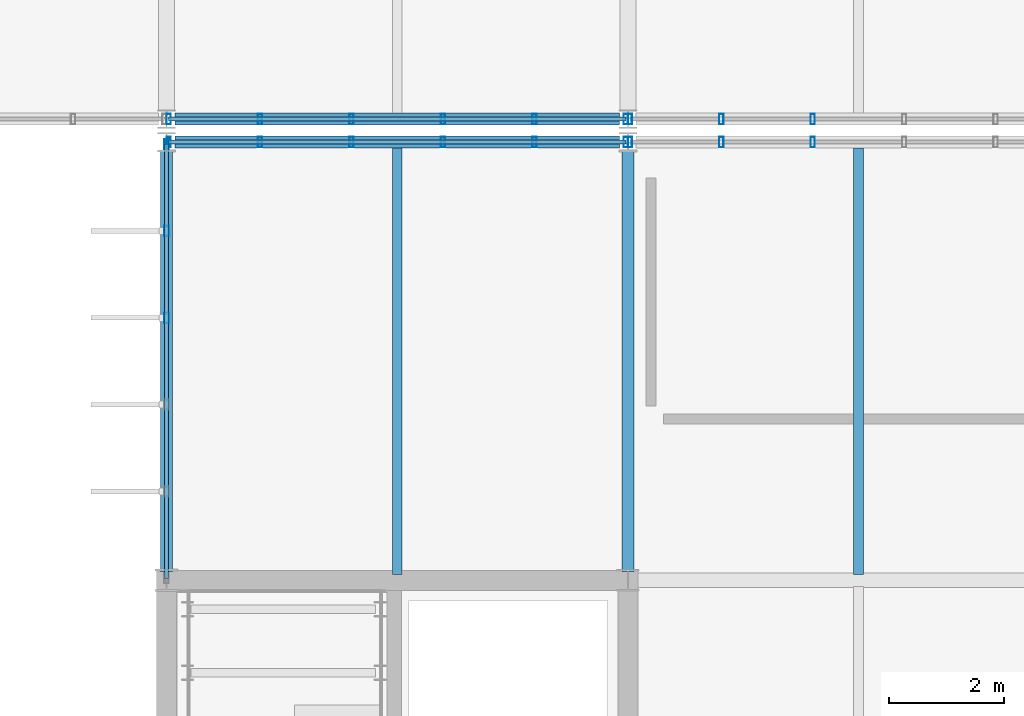
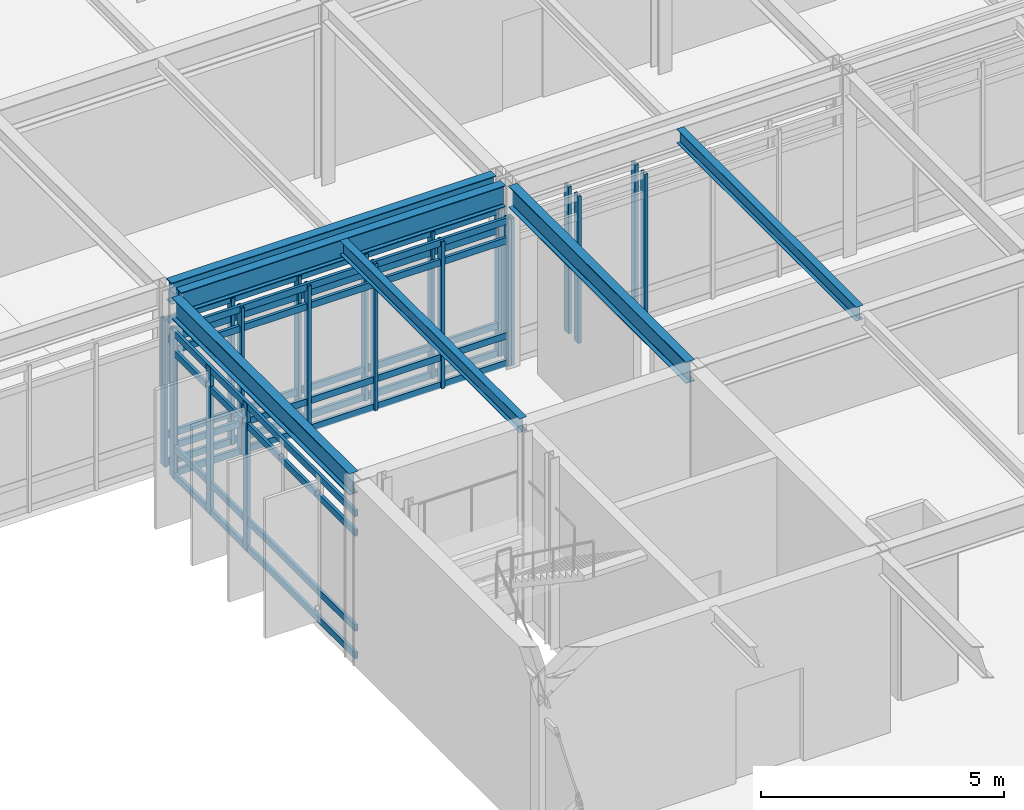
# One storey, part 46 of 104: 33 members, 6 beams, 5 elements without a shape of their own.
"""IFC4 building model written with IfcOpenShell, lengths in metres."""

import ifcopenshell
import ifcopenshell.guid

model = None  # the IFC model being written
_history = None  # IfcOwnerHistory: only IFC2X3 demands one
_inside = {}  # id of a spatial element -> (the spatial element, [elements in it])
_under = {}  # id of a project, library or spatial element -> (it, [spatial elements below it])
_declared = {}  # id of a project -> (the project, [libraries it declares])
_typed = {}  # id of a type object -> (the type object, [elements of that type])
_made_of = {}  # id of a material, layer set ... -> (it, [elements and type objects made of it])


def new_model(schema):
    """Start an empty IFC model of exactly this schema.

    Asked for "IFC4X3", IfcOpenShell would pick the latest addendum, in which some entities
    have other attributes; the version numbers below select the first issue.
    IFC2X3 requires an IfcOwnerHistory on every rooted entity: one is made here for all.
    """
    global model, _history
    if schema == "IFC4X3":
        model = ifcopenshell.file(schema_version=(4, 3, 0, 0))
    else:
        model = ifcopenshell.file(schema=schema)
    _inside.clear()
    _under.clear()
    _declared.clear()
    _typed.clear()
    _made_of.clear()
    _history = None
    if model.schema == "IFC2X3":
        org = make("IfcOrganization", Name="unknown")
        user = make(
            "IfcPersonAndOrganization",
            ThePerson=make("IfcPerson", FamilyName="unknown"),
            TheOrganization=org,
        )
        app = make(
            "IfcApplication",
            ApplicationDeveloper=org,
            Version="unknown",
            ApplicationFullName="unknown",
            ApplicationIdentifier="unknown",
        )
        _history = make(
            "IfcOwnerHistory",
            OwningUser=user,
            OwningApplication=app,
            ChangeAction="ADDED",
            CreationDate=0,
        )
    return model


def make(cls, **values):
    """One entity of the class cls with the attributes given. An attribute that is None is left unset."""
    return model.create_entity(
        cls, **{name: value for name, value in values.items() if value is not None}
    )


def rooted(cls, **values):
    """An entity with a GlobalId (a new one), such as an element, a storey or a relation."""
    return make(cls, GlobalId=ifcopenshell.guid.new(), OwnerHistory=_history, **values)


def si_unit(unit_type, name, prefix=None):
    """IfcSIUnit, for example si_unit("LENGTHUNIT", "METRE", prefix="MILLI")."""
    return make("IfcSIUnit", UnitType=unit_type, Prefix=prefix, Name=name)


def assignment(units):
    """IfcUnitAssignment: the units of a project."""
    return None if units is None else make("IfcUnitAssignment", Units=units)


def point(xyz):
    """IfcCartesianPoint."""
    return None if xyz is None else make("IfcCartesianPoint", Coordinates=xyz)


def direction(xyz):
    """IfcDirection."""
    return None if xyz is None else make("IfcDirection", DirectionRatios=xyz)


def frame(location, z_axis=None, x_axis=None):
    """IfcAxis2Placement3D, a coordinate frame: its origin and axes. An axis left out is left unset."""
    return make(
        "IfcAxis2Placement3D",
        Location=point(location),
        Axis=direction(z_axis),
        RefDirection=direction(x_axis),
    )


def frame_2d(location, x_axis=None):
    """IfcAxis2Placement2D, a coordinate frame in the plane: its origin and x axis."""
    return make(
        "IfcAxis2Placement2D", Location=point(location), RefDirection=direction(x_axis)
    )


def origin():
    """The frame at (0, 0, 0) with its axes left unset."""
    return frame((0.0, 0.0, 0.0))


def origin_2d():
    """The frame at (0, 0) in the plane with its x axis left unset."""
    return frame_2d((0.0, 0.0))


def place(relative_to, where):
    """IfcLocalPlacement: puts the frame where relative to a parent placement (None: the world)."""
    return make(
        "IfcLocalPlacement", PlacementRelTo=relative_to, RelativePlacement=where
    )


def context(
    kind, dimensions, precision=None, world=None, true_north=None, identifier=None
):
    """IfcGeometricRepresentationContext, for example the 3D "Model" context."""
    return make(
        "IfcGeometricRepresentationContext",
        ContextIdentifier=identifier,
        ContextType=kind,
        CoordinateSpaceDimension=dimensions,
        Precision=precision,
        WorldCoordinateSystem=world,
        TrueNorth=true_north,
    )


def subcontext(parent, identifier, kind, view, scale=None):
    """IfcGeometricRepresentationSubContext, for example "Body" below "Model"."""
    return make(
        "IfcGeometricRepresentationSubContext",
        ContextIdentifier=identifier,
        ContextType=kind,
        ParentContext=parent,
        TargetScale=scale,
        TargetView=view,
    )


def project(units=None, contexts=None):
    """IfcProject with its units and contexts."""
    return rooted(
        "IfcProject",
        Name="project",
        RepresentationContexts=contexts,
        UnitsInContext=assignment(units),
    )


def spatial(cls, under=None, at=None, **own):
    """A site, building, storey or space (cls), placed at a placement, below another one or the project."""
    s = rooted(cls, ObjectPlacement=at, **own)
    if under is not None:
        _under.setdefault(under.id(), (under, []))[1].append(s)
    return s


def profile(cls, at=None, kind="AREA", **sizes):
    """A parametric profile (cls). Its sizes go by their IFC names, for example OverallWidth=200.0."""
    return make(cls, ProfileType=kind, Position=at, **sizes)


def hollow_rectangle(**sizes):
    """IfcRectangleHollowProfileDef."""
    return profile("IfcRectangleHollowProfileDef", **sizes)


def i_section(**sizes):
    """IfcIShapeProfileDef."""
    return profile("IfcIShapeProfileDef", **sizes)


def extrude(swept, where, along, depth):
    """IfcExtrudedAreaSolid: the profile swept, set in the frame where, extruded along a direction by depth."""
    return make(
        "IfcExtrudedAreaSolid",
        SweptArea=swept,
        Position=where,
        ExtrudedDirection=direction(along),
        Depth=depth,
    )


def shape(context_of_items, identifier, shape_type, items):
    """IfcShapeRepresentation: the items that make up one representation, for example the "Body"."""
    return make(
        "IfcShapeRepresentation",
        ContextOfItems=context_of_items,
        RepresentationIdentifier=identifier,
        RepresentationType=shape_type,
        Items=items,
    )


def material(Name=None, Category=None):
    """IfcMaterial."""
    return make("IfcMaterial", Name=Name, Category=Category)


def material_profile(
    of_material, cross_section, Name=None, Category=None, Priority=None
):
    """IfcMaterialProfile: a cross section and its material."""
    return make(
        "IfcMaterialProfile",
        Name=Name,
        Material=of_material,
        Profile=cross_section,
        Priority=Priority,
        Category=Category,
    )


def profile_set(profiles, Name=None, composite=None):
    """IfcMaterialProfileSet."""
    return make(
        "IfcMaterialProfileSet",
        Name=Name,
        MaterialProfiles=profiles,
        CompositeProfile=composite,
    )


def made_of(thing, what):
    """Note that an element or type object is made of a material, layer set ...; save() writes the relation."""
    if what is not None:
        _made_of.setdefault(what.id(), (what, []))[1].append(thing)
    return thing


def type_object(cls, material=None, **own):
    """A type object (cls), such as IfcWallType, which elements share."""
    return made_of(rooted(cls, **own), material)


def element(
    cls,
    number,
    at=None,
    inside=None,
    cuts=None,
    type_object=None,
    material=None,
    context=None,
    identifier="Body",
    shape_type=None,
    held_by="IfcProductDefinitionShape",
    body=None,
    shapes=None,
    **own,
):
    """One element of the class cls, such as IfcWall. Its Tag is "e" and its number.

    at: its placement. inside: the storey or other place that contains it. cuts: it is an
    opening in that element (IfcRelVoidsElement). A single representation is given by context,
    identifier, shape_type and body (its items); several are given by shapes. held_by: the class
    of the entity that holds the representations. save() writes the other relations.
    """
    e = rooted(cls, Tag="e%d" % number, ObjectPlacement=at, **own)
    if body is not None:
        shapes = [shape(context, identifier, shape_type, body)]
    if shapes is not None:
        e.Representation = make(held_by, Representations=shapes)
    if inside is not None:
        _inside.setdefault(inside.id(), (inside, []))[1].append(e)
    if cuts is not None:
        rooted(
            "IfcRelVoidsElement", RelatingBuildingElement=cuts, RelatedOpeningElement=e
        )
    if type_object is not None:
        _typed.setdefault(type_object.id(), (type_object, []))[1].append(e)
    return made_of(e, material)


def aggregate(whole, parts):
    """IfcRelAggregates: a whole, such as a stair, and the parts it consists of."""
    return rooted("IfcRelAggregates", RelatingObject=whole, RelatedObjects=parts)


def save(model, path):
    """Write the relations noted so far, then the file.

    IfcRelAggregates (storeys below a building ...), IfcRelContainedInSpatialStructure (elements
    in a storey), IfcRelDefinesByType, IfcRelAssociatesMaterial and IfcRelDeclares: one each for
    every whole, place, type object, material and project.
    """
    for whole, parts in _under.values():
        aggregate(whole, parts)
    for where, things in _inside.values():
        rooted(
            "IfcRelContainedInSpatialStructure",
            RelatedElements=things,
            RelatingStructure=where,
        )
    for kind, things in _typed.values():
        rooted("IfcRelDefinesByType", RelatedObjects=things, RelatingType=kind)
    for what, things in _made_of.values():
        rooted("IfcRelAssociatesMaterial", RelatedObjects=things, RelatingMaterial=what)
    for by, libraries in _declared.values():
        rooted("IfcRelDeclares", RelatingContext=by, RelatedDefinitions=libraries)
    model.write(path)


model = new_model("IFC4")

# Units and contexts
model_context = context("Model", 3, precision=1e-05, world=origin(), true_north=direction((0.0, 1.0)))
body_context = subcontext(model_context, "Body", "Model", "MODEL_VIEW")
ifc_project = project(units=[si_unit("LENGTHUNIT", "METRE"), si_unit("AREAUNIT", "SQUARE_METRE"), si_unit("VOLUMEUNIT", "CUBIC_METRE"), si_unit("PLANEANGLEUNIT", "RADIAN"), si_unit("MASSUNIT", "GRAM", prefix="KILO")], contexts=[model_context])

# Site, building, storey
site_placement = place(None, origin())
site = spatial("IfcSite", under=ifc_project, at=site_placement, CompositionType="ELEMENT")
building_placement = place(site_placement, origin())
building = spatial("IfcBuilding", under=site, at=building_placement, Name="Zulena Civic Courthouse", CompositionType="ELEMENT")
storey_placement = place(building_placement, frame((0.0, 0.0, 15.60009765625)))
storey = spatial("IfcBuildingStorey", under=building, at=storey_placement, Name="L03", CompositionType="ELEMENT", Elevation=15.60009765625)

# Curtain wall, members
ifc_material_1 = material(Name="Double-silver low-E laminated solar-control glass", Category="glass")
curtain_wall_type_1 = type_object("IfcCurtainWallType", Name="CW_7528x3690", PredefinedType="USERDEFINED", material=ifc_material_1)
curtain_wall_1_placement = place(storey_placement, origin())
curtain_wall_1 = element("IfcCurtainWall", 1, at=curtain_wall_1_placement, inside=storey, type_object=curtain_wall_type_1, Name="cw:V4:L03:0:3", ObjectType="UNITISED CURTAIN WALL", PredefinedType="USERDEFINED")
ifc_material_2 = material(Name="Bronze anodised thermally broken aluminium AA6063-T6", Category="aluminium")
ifc_material_profile_1 = material_profile(ifc_material_2, hollow_rectangle(XDim=0.074951171875, YDim=0.179931640625, WallThickness=0.0048828125, at=origin_2d()), Name="CWM180X75X5")
ifc_profile_set_1 = profile_set([ifc_material_profile_1], Name="Bronze anodised thermally broken aluminium AA6063-T6")
member_type_1 = type_object("IfcMemberType", Name="CWMullion_180x75", PredefinedType="MULLION", material=ifc_profile_set_1)
member_1_placement = place(storey_placement, frame((68.0, 42.552734375, 0.0), z_axis=(0.0, 0.0, 1.0), x_axis=(1.0, 0.0, 0.0)))
member_1 = element("IfcMember", 2, at=member_1_placement, type_object=member_type_1, Name="cw:V4:L03:0:3:mull:3", PredefinedType="MULLION", context=body_context, shape_type="SweptSolid", body=[
    extrude(hollow_rectangle(XDim=0.074951171875, YDim=0.179931640625, WallThickness=0.0048828125, at=origin_2d()), origin(), (0.0, 0.0, 1.0), 3.68994140625),
])
member_2_placement = place(storey_placement, frame((68.0, 44.058349609375, 0.0), z_axis=(0.0, 0.0, 1.0), x_axis=(1.0, 0.0, 0.0)))
member_2 = element("IfcMember", 3, at=member_2_placement, type_object=member_type_1, Name="cw:V4:L03:0:3:mull:4", PredefinedType="MULLION", context=body_context, shape_type="SweptSolid", body=[
    extrude(hollow_rectangle(XDim=0.074951171875, YDim=0.179931640625, WallThickness=0.0048828125, at=origin_2d()), origin(), (0.0, 0.0, 1.0), 3.68994140625),
])
member_3_placement = place(storey_placement, frame((68.0, 45.56396484375, 0.0), z_axis=(0.0, 0.0, 1.0), x_axis=(1.0, 0.0, 0.0)))
member_3 = element("IfcMember", 4, at=member_3_placement, type_object=member_type_1, Name="cw:V4:L03:0:3:mull:5", PredefinedType="MULLION", context=body_context, shape_type="SweptSolid", body=[
    extrude(hollow_rectangle(XDim=0.074951171875, YDim=0.179931640625, WallThickness=0.0048828125, at=origin_2d()), origin(), (0.0, 0.0, 1.0), 3.68994140625),
])

curtain_wall_type_2 = type_object("IfcCurtainWallType", Name="CW_7928x3690", PredefinedType="USERDEFINED", material=ifc_material_1)
curtain_wall_2_placement = place(storey_placement, origin())
curtain_wall_2 = element("IfcCurtainWall", 5, at=curtain_wall_2_placement, inside=storey, type_object=curtain_wall_type_2, Name="cw:V4:L03:1:0", ObjectType="UNITISED CURTAIN WALL", PredefinedType="USERDEFINED")
member_4_placement = place(storey_placement, frame((68.035888671875, 45.60009765625, 0.0), z_axis=(0.0, 0.0, 1.0), x_axis=(1.0, 0.0, 0.0)))
member_4 = element("IfcMember", 6, at=member_4_placement, type_object=member_type_1, Name="cw:V4:L03:1:0:mull:0", PredefinedType="MULLION", context=body_context, shape_type="SweptSolid", body=[
    extrude(hollow_rectangle(XDim=0.074951171875, YDim=0.179931640625, WallThickness=0.0048828125, at=origin_2d()), origin(), (0.0, 0.0, 1.0), 3.68994140625),
])
member_5_placement = place(storey_placement, frame((69.62158203125, 45.60009765625, 0.0), z_axis=(0.0, 0.0, 1.0), x_axis=(1.0, 0.0, 0.0)))
member_5 = element("IfcMember", 7, at=member_5_placement, type_object=member_type_1, Name="cw:V4:L03:1:0:mull:1", PredefinedType="MULLION", context=body_context, shape_type="SweptSolid", body=[
    extrude(hollow_rectangle(XDim=0.074951171875, YDim=0.179931640625, WallThickness=0.0048828125, at=origin_2d()), origin(), (0.0, 0.0, 1.0), 3.68994140625),
])
member_6_placement = place(storey_placement, frame((71.207275390625, 45.60009765625, 0.0), z_axis=(0.0, 0.0, 1.0), x_axis=(1.0, 0.0, 0.0)))
member_6 = element("IfcMember", 8, at=member_6_placement, type_object=member_type_1, Name="cw:V4:L03:1:0:mull:2", PredefinedType="MULLION", context=body_context, shape_type="SweptSolid", body=[
    extrude(hollow_rectangle(XDim=0.074951171875, YDim=0.179931640625, WallThickness=0.0048828125, at=origin_2d()), origin(), (0.0, 0.0, 1.0), 3.68994140625),
])
member_7_placement = place(storey_placement, frame((72.792724609375, 45.60009765625, 0.0), z_axis=(0.0, 0.0, 1.0), x_axis=(1.0, 0.0, 0.0)))
member_7 = element("IfcMember", 9, at=member_7_placement, type_object=member_type_1, Name="cw:V4:L03:1:0:mull:3", PredefinedType="MULLION", context=body_context, shape_type="SweptSolid", body=[
    extrude(hollow_rectangle(XDim=0.074951171875, YDim=0.179931640625, WallThickness=0.0048828125, at=origin_2d()), origin(), (0.0, 0.0, 1.0), 3.68994140625),
])
member_8_placement = place(storey_placement, frame((74.37841796875, 45.60009765625, 0.0), z_axis=(0.0, 0.0, 1.0), x_axis=(1.0, 0.0, 0.0)))
member_8 = element("IfcMember", 10, at=member_8_placement, type_object=member_type_1, Name="cw:V4:L03:1:0:mull:4", PredefinedType="MULLION", context=body_context, shape_type="SweptSolid", body=[
    extrude(hollow_rectangle(XDim=0.074951171875, YDim=0.179931640625, WallThickness=0.0048828125, at=origin_2d()), origin(), (0.0, 0.0, 1.0), 3.68994140625),
])
member_9_placement = place(storey_placement, frame((75.964111328125, 45.60009765625, 0.0), z_axis=(0.0, 0.0, 1.0), x_axis=(1.0, 0.0, 0.0)))
member_9 = element("IfcMember", 11, at=member_9_placement, type_object=member_type_1, Name="cw:V4:L03:1:0:mull:5", PredefinedType="MULLION", context=body_context, shape_type="SweptSolid", body=[
    extrude(hollow_rectangle(XDim=0.074951171875, YDim=0.179931640625, WallThickness=0.0048828125, at=origin_2d()), origin(), (0.0, 0.0, 1.0), 3.68994140625),
])

curtain_wall_3_placement = place(storey_placement, origin())
curtain_wall_3 = element("IfcCurtainWall", 12, at=curtain_wall_3_placement, inside=storey, type_object=curtain_wall_type_2, Name="cw:V4:L03:1:1", ObjectType="UNITISED CURTAIN WALL", PredefinedType="USERDEFINED")
member_10_placement = place(storey_placement, frame((76.035888671875, 45.60009765625, 0.0), z_axis=(0.0, 0.0, 1.0), x_axis=(1.0, 0.0, 0.0)))
member_10 = element("IfcMember", 13, at=member_10_placement, type_object=member_type_1, Name="cw:V4:L03:1:1:mull:0", PredefinedType="MULLION", context=body_context, shape_type="SweptSolid", body=[
    extrude(hollow_rectangle(XDim=0.074951171875, YDim=0.179931640625, WallThickness=0.0048828125, at=origin_2d()), origin(), (0.0, 0.0, 1.0), 3.68994140625),
])
member_11_placement = place(storey_placement, frame((77.62158203125, 45.60009765625, 0.0), z_axis=(0.0, 0.0, 1.0), x_axis=(1.0, 0.0, 0.0)))
member_11 = element("IfcMember", 14, at=member_11_placement, type_object=member_type_1, Name="cw:V4:L03:1:1:mull:1", PredefinedType="MULLION", context=body_context, shape_type="SweptSolid", body=[
    extrude(hollow_rectangle(XDim=0.074951171875, YDim=0.179931640625, WallThickness=0.0048828125, at=origin_2d()), origin(), (0.0, 0.0, 1.0), 3.68994140625),
])
member_12_placement = place(storey_placement, frame((79.207275390625, 45.60009765625, 0.0), z_axis=(0.0, 0.0, 1.0), x_axis=(1.0, 0.0, 0.0)))
member_12 = element("IfcMember", 15, at=member_12_placement, type_object=member_type_1, Name="cw:V4:L03:1:1:mull:2", PredefinedType="MULLION", context=body_context, shape_type="SweptSolid", body=[
    extrude(hollow_rectangle(XDim=0.074951171875, YDim=0.179931640625, WallThickness=0.0048828125, at=origin_2d()), origin(), (0.0, 0.0, 1.0), 3.68994140625),
])
aggregate(curtain_wall_3, [member_10, member_11, member_12])

curtain_wall_4_placement = place(storey_placement, origin())
curtain_wall_4 = element("IfcCurtainWall", 16, at=curtain_wall_4_placement, inside=storey, type_object=curtain_wall_type_2, Name="cw:V5:L03:5:3", ObjectType="UNITISED CURTAIN WALL", PredefinedType="USERDEFINED")
member_13_placement = place(storey_placement, frame((79.207275390625, 46.0, 0.0), z_axis=(0.0, 0.0, 1.0), x_axis=(1.0, 0.0, 0.0)))
member_13 = element("IfcMember", 17, at=member_13_placement, type_object=member_type_1, Name="cw:V5:L03:5:3:mull:3", PredefinedType="MULLION", context=body_context, shape_type="SweptSolid", body=[
    extrude(hollow_rectangle(XDim=0.074951171875, YDim=0.179931640625, WallThickness=0.0048828125, at=origin_2d()), origin(), (0.0, 0.0, 1.0), 3.68994140625),
])
member_14_placement = place(storey_placement, frame((77.62158203125, 46.0, 0.0), z_axis=(0.0, 0.0, 1.0), x_axis=(1.0, 0.0, 0.0)))
member_14 = element("IfcMember", 18, at=member_14_placement, type_object=member_type_1, Name="cw:V5:L03:5:3:mull:4", PredefinedType="MULLION", context=body_context, shape_type="SweptSolid", body=[
    extrude(hollow_rectangle(XDim=0.074951171875, YDim=0.179931640625, WallThickness=0.0048828125, at=origin_2d()), origin(), (0.0, 0.0, 1.0), 3.68994140625),
])
member_15_placement = place(storey_placement, frame((76.035888671875, 46.0, 0.0), z_axis=(0.0, 0.0, 1.0), x_axis=(1.0, 0.0, 0.0)))
member_15 = element("IfcMember", 19, at=member_15_placement, type_object=member_type_1, Name="cw:V5:L03:5:3:mull:5", PredefinedType="MULLION", context=body_context, shape_type="SweptSolid", body=[
    extrude(hollow_rectangle(XDim=0.074951171875, YDim=0.179931640625, WallThickness=0.0048828125, at=origin_2d()), origin(), (0.0, 0.0, 1.0), 3.68994140625),
])
aggregate(curtain_wall_4, [member_13, member_14, member_15])

curtain_wall_5_placement = place(storey_placement, origin())
curtain_wall_5 = element("IfcCurtainWall", 20, at=curtain_wall_5_placement, inside=storey, type_object=curtain_wall_type_2, Name="cw:V5:L03:5:4", ObjectType="UNITISED CURTAIN WALL", PredefinedType="USERDEFINED")
member_16_placement = place(storey_placement, frame((75.964111328125, 46.0, 0.0), z_axis=(0.0, 0.0, 1.0), x_axis=(1.0, 0.0, 0.0)))
member_16 = element("IfcMember", 21, at=member_16_placement, type_object=member_type_1, Name="cw:V5:L03:5:4:mull:0", PredefinedType="MULLION", context=body_context, shape_type="SweptSolid", body=[
    extrude(hollow_rectangle(XDim=0.074951171875, YDim=0.179931640625, WallThickness=0.0048828125, at=origin_2d()), origin(), (0.0, 0.0, 1.0), 3.68994140625),
])
member_17_placement = place(storey_placement, frame((74.37841796875, 46.0, 0.0), z_axis=(0.0, 0.0, 1.0), x_axis=(1.0, 0.0, 0.0)))
member_17 = element("IfcMember", 22, at=member_17_placement, type_object=member_type_1, Name="cw:V5:L03:5:4:mull:1", PredefinedType="MULLION", context=body_context, shape_type="SweptSolid", body=[
    extrude(hollow_rectangle(XDim=0.074951171875, YDim=0.179931640625, WallThickness=0.0048828125, at=origin_2d()), origin(), (0.0, 0.0, 1.0), 3.68994140625),
])
member_18_placement = place(storey_placement, frame((72.792724609375, 46.0, 0.0), z_axis=(0.0, 0.0, 1.0), x_axis=(1.0, 0.0, 0.0)))
member_18 = element("IfcMember", 23, at=member_18_placement, type_object=member_type_1, Name="cw:V5:L03:5:4:mull:2", PredefinedType="MULLION", context=body_context, shape_type="SweptSolid", body=[
    extrude(hollow_rectangle(XDim=0.074951171875, YDim=0.179931640625, WallThickness=0.0048828125, at=origin_2d()), origin(), (0.0, 0.0, 1.0), 3.68994140625),
])
member_19_placement = place(storey_placement, frame((71.207275390625, 46.0, 0.0), z_axis=(0.0, 0.0, 1.0), x_axis=(1.0, 0.0, 0.0)))
member_19 = element("IfcMember", 24, at=member_19_placement, type_object=member_type_1, Name="cw:V5:L03:5:4:mull:3", PredefinedType="MULLION", context=body_context, shape_type="SweptSolid", body=[
    extrude(hollow_rectangle(XDim=0.074951171875, YDim=0.179931640625, WallThickness=0.0048828125, at=origin_2d()), origin(), (0.0, 0.0, 1.0), 3.68994140625),
])
member_20_placement = place(storey_placement, frame((69.62158203125, 46.0, 0.0), z_axis=(0.0, 0.0, 1.0), x_axis=(1.0, 0.0, 0.0)))
member_20 = element("IfcMember", 25, at=member_20_placement, type_object=member_type_1, Name="cw:V5:L03:5:4:mull:4", PredefinedType="MULLION", context=body_context, shape_type="SweptSolid", body=[
    extrude(hollow_rectangle(XDim=0.074951171875, YDim=0.179931640625, WallThickness=0.0048828125, at=origin_2d()), origin(), (0.0, 0.0, 1.0), 3.68994140625),
])
member_21_placement = place(storey_placement, frame((68.035888671875, 46.0, 0.0), z_axis=(0.0, 0.0, 1.0), x_axis=(1.0, 0.0, 0.0)))
member_21 = element("IfcMember", 26, at=member_21_placement, type_object=member_type_1, Name="cw:V5:L03:5:4:mull:5", PredefinedType="MULLION", context=body_context, shape_type="SweptSolid", body=[
    extrude(hollow_rectangle(XDim=0.074951171875, YDim=0.179931640625, WallThickness=0.0048828125, at=origin_2d()), origin(), (0.0, 0.0, 1.0), 3.68994140625),
])

# Member
ifc_material_profile_2 = material_profile(ifc_material_2, hollow_rectangle(XDim=0.070068359375, YDim=0.1650390625, WallThickness=0.00390625, at=origin_2d()), Name="CWT165X70X4")
ifc_profile_set_2 = profile_set([ifc_material_profile_2], Name="Bronze anodised thermally broken aluminium AA6063-T6")
member_type_2 = type_object("IfcMemberType", Name="CWTransom_165x70", PredefinedType="USERDEFINED", material=ifc_profile_set_2)
member_22_placement = place(storey_placement, frame((68.0, 38.035888671875, 0.059814453125), z_axis=(0.0, 1.0, 0.0), x_axis=(-1.0, 0.0, 0.0)))
member_22 = element("IfcMember", 27, at=member_22_placement, type_object=member_type_2, Name="cw:V4:L03:0:3:tran:0", ObjectType="TRANSOM", PredefinedType="USERDEFINED", context=body_context, shape_type="SweptSolid", body=[
    extrude(hollow_rectangle(XDim=0.070068359375, YDim=0.1650390625, WallThickness=0.00390625, at=origin_2d()), origin(), (0.0, 0.0, 1.0), 7.528076171875),
])

member_23_placement = place(storey_placement, frame((68.0, 38.035888671875, 0.75), z_axis=(0.0, 1.0, 0.0), x_axis=(-1.0, 0.0, 0.0)))
member_23 = element("IfcMember", 28, at=member_23_placement, type_object=member_type_2, Name="cw:V4:L03:0:3:tran:1", ObjectType="TRANSOM", PredefinedType="USERDEFINED", context=body_context, shape_type="SweptSolid", body=[
    extrude(hollow_rectangle(XDim=0.070068359375, YDim=0.1650390625, WallThickness=0.00390625, at=origin_2d()), origin(), (0.0, 0.0, 1.0), 7.528076171875),
])

member_24_placement = place(storey_placement, frame((68.0, 38.035888671875, 3.139892578125), z_axis=(0.0, 1.0, 0.0), x_axis=(-1.0, 0.0, 0.0)))
member_24 = element("IfcMember", 29, at=member_24_placement, type_object=member_type_2, Name="cw:V4:L03:0:3:tran:2", ObjectType="TRANSOM", PredefinedType="USERDEFINED", context=body_context, shape_type="SweptSolid", body=[
    extrude(hollow_rectangle(XDim=0.070068359375, YDim=0.1650390625, WallThickness=0.00390625, at=origin_2d()), origin(), (0.0, 0.0, 1.0), 7.528076171875),
])

member_25_placement = place(storey_placement, frame((68.0, 38.035888671875, 3.6298828125), z_axis=(0.0, 1.0, 0.0), x_axis=(-1.0, 0.0, 0.0)))
member_25 = element("IfcMember", 30, at=member_25_placement, type_object=member_type_2, Name="cw:V4:L03:0:3:tran:3", ObjectType="TRANSOM", PredefinedType="USERDEFINED", context=body_context, shape_type="SweptSolid", body=[
    extrude(hollow_rectangle(XDim=0.070068359375, YDim=0.1650390625, WallThickness=0.00390625, at=origin_2d()), origin(), (0.0, 0.0, 1.0), 7.528076171875),
])

aggregate(curtain_wall_1, [member_1, member_2, member_3, member_22, member_23, member_24, member_25])

member_26_placement = place(storey_placement, frame((68.035888671875, 45.60009765625, 0.059814453125), z_axis=(1.0, 0.0, 0.0), x_axis=(0.0, 1.0, 0.0)))
member_26 = element("IfcMember", 31, at=member_26_placement, type_object=member_type_2, Name="cw:V4:L03:1:0:tran:0", ObjectType="TRANSOM", PredefinedType="USERDEFINED", context=body_context, shape_type="SweptSolid", body=[
    extrude(hollow_rectangle(XDim=0.070068359375, YDim=0.1650390625, WallThickness=0.00390625, at=origin_2d()), origin(), (0.0, 0.0, 1.0), 7.92822265625),
])

member_27_placement = place(storey_placement, frame((68.035888671875, 45.60009765625, 0.75), z_axis=(1.0, 0.0, 0.0), x_axis=(0.0, 1.0, 0.0)))
member_27 = element("IfcMember", 32, at=member_27_placement, type_object=member_type_2, Name="cw:V4:L03:1:0:tran:1", ObjectType="TRANSOM", PredefinedType="USERDEFINED", context=body_context, shape_type="SweptSolid", body=[
    extrude(hollow_rectangle(XDim=0.070068359375, YDim=0.1650390625, WallThickness=0.00390625, at=origin_2d()), origin(), (0.0, 0.0, 1.0), 7.92822265625),
])

member_28_placement = place(storey_placement, frame((68.035888671875, 45.60009765625, 3.139892578125), z_axis=(1.0, 0.0, 0.0), x_axis=(0.0, 1.0, 0.0)))
member_28 = element("IfcMember", 33, at=member_28_placement, type_object=member_type_2, Name="cw:V4:L03:1:0:tran:2", ObjectType="TRANSOM", PredefinedType="USERDEFINED", context=body_context, shape_type="SweptSolid", body=[
    extrude(hollow_rectangle(XDim=0.070068359375, YDim=0.1650390625, WallThickness=0.00390625, at=origin_2d()), origin(), (0.0, 0.0, 1.0), 7.92822265625),
])

member_29_placement = place(storey_placement, frame((68.035888671875, 45.60009765625, 3.6298828125), z_axis=(1.0, 0.0, 0.0), x_axis=(0.0, 1.0, 0.0)))
member_29 = element("IfcMember", 34, at=member_29_placement, type_object=member_type_2, Name="cw:V4:L03:1:0:tran:3", ObjectType="TRANSOM", PredefinedType="USERDEFINED", context=body_context, shape_type="SweptSolid", body=[
    extrude(hollow_rectangle(XDim=0.070068359375, YDim=0.1650390625, WallThickness=0.00390625, at=origin_2d()), origin(), (0.0, 0.0, 1.0), 7.92822265625),
])

aggregate(curtain_wall_2, [member_4, member_5, member_6, member_7, member_8, member_9, member_26, member_27, member_28, member_29])

member_30_placement = place(storey_placement, frame((75.964111328125, 46.0, 0.059814453125), z_axis=(-1.0, 0.0, 0.0), x_axis=(0.0, -1.0, 0.0)))
member_30 = element("IfcMember", 35, at=member_30_placement, type_object=member_type_2, Name="cw:V5:L03:5:4:tran:0", ObjectType="TRANSOM", PredefinedType="USERDEFINED", context=body_context, shape_type="SweptSolid", body=[
    extrude(hollow_rectangle(XDim=0.070068359375, YDim=0.1650390625, WallThickness=0.00390625, at=origin_2d()), origin(), (0.0, 0.0, 1.0), 7.92822265625),
])

member_31_placement = place(storey_placement, frame((75.964111328125, 46.0, 0.75), z_axis=(-1.0, 0.0, 0.0), x_axis=(0.0, -1.0, 0.0)))
member_31 = element("IfcMember", 36, at=member_31_placement, type_object=member_type_2, Name="cw:V5:L03:5:4:tran:1", ObjectType="TRANSOM", PredefinedType="USERDEFINED", context=body_context, shape_type="SweptSolid", body=[
    extrude(hollow_rectangle(XDim=0.070068359375, YDim=0.1650390625, WallThickness=0.00390625, at=origin_2d()), origin(), (0.0, 0.0, 1.0), 7.92822265625),
])

member_32_placement = place(storey_placement, frame((75.964111328125, 46.0, 3.139892578125), z_axis=(-1.0, 0.0, 0.0), x_axis=(0.0, -1.0, 0.0)))
member_32 = element("IfcMember", 37, at=member_32_placement, type_object=member_type_2, Name="cw:V5:L03:5:4:tran:2", ObjectType="TRANSOM", PredefinedType="USERDEFINED", context=body_context, shape_type="SweptSolid", body=[
    extrude(hollow_rectangle(XDim=0.070068359375, YDim=0.1650390625, WallThickness=0.00390625, at=origin_2d()), origin(), (0.0, 0.0, 1.0), 7.92822265625),
])

member_33_placement = place(storey_placement, frame((75.964111328125, 46.0, 3.6298828125), z_axis=(-1.0, 0.0, 0.0), x_axis=(0.0, -1.0, 0.0)))
member_33 = element("IfcMember", 38, at=member_33_placement, type_object=member_type_2, Name="cw:V5:L03:5:4:tran:3", ObjectType="TRANSOM", PredefinedType="USERDEFINED", context=body_context, shape_type="SweptSolid", body=[
    extrude(hollow_rectangle(XDim=0.070068359375, YDim=0.1650390625, WallThickness=0.00390625, at=origin_2d()), origin(), (0.0, 0.0, 1.0), 7.92822265625),
])

aggregate(curtain_wall_5, [member_16, member_17, member_18, member_19, member_20, member_21, member_30, member_31, member_32, member_33])

# Beams
ifc_material_3 = material(Name="Steel ASTM A992 Grade 50", Category="steel")
ifc_material_profile_3 = material_profile(ifc_material_3, i_section(OverallWidth=0.1708984375, OverallDepth=0.35205078125, WebThickness=0.0068359375, FlangeThickness=0.009765625, FilletRadius=0.01025390625, at=origin_2d()), Name="W14X30")
ifc_profile_set_3 = profile_set([ifc_material_profile_3], Name="Steel ASTM A992 Grade 50")
beam_type_1 = type_object("IfcBeamType", Name="Joist_W14X30", PredefinedType="JOIST", material=ifc_profile_set_3)
for number, where, z_axis, x_axis, name in (
    (39, (72.0, 38.10498046875, 4.413818359375), (0.0, 1.0, 0.0), (-1.0, 0.0, 0.0), "joist:V4:L03:72.00:38.0_45.6"),
    (40, (80.0, 38.10498046875, 4.413818359375), (0.0, 1.0, 0.0), (-1.0, 0.0, 0.0), "joist:V4:L03:80.00:38.0_45.6"),
):
    element("IfcBeam", number, at=place(storey_placement, frame(where, z_axis=z_axis, x_axis=x_axis)), inside=storey, type_object=beam_type_1, Name=name, PredefinedType="JOIST", context=body_context, shape_type="SweptSolid", body=[
        extrude(i_section(OverallWidth=0.1708984375, OverallDepth=0.35205078125, WebThickness=0.0068359375, FlangeThickness=0.009765625, FilletRadius=0.01025390625, at=origin_2d()), origin(), (0.0, 0.0, 1.0), 7.39013671875),
    ])
ifc_material_profile_4 = material_profile(ifc_material_3, i_section(OverallWidth=0.2099609375, OverallDepth=0.537109375, WebThickness=0.010986328125, FlangeThickness=0.017333984375, FilletRadius=0.0126953125, at=origin_2d()), Name="W21X68")
ifc_profile_set_4 = profile_set([ifc_material_profile_4], Name="Steel ASTM A992 Grade 50")
beam_type_2 = type_object("IfcBeamType", Name="Spandrel_W21X68", PredefinedType="SPANDREL", material=ifc_profile_set_4)
beam_1_placement = place(storey_placement, frame((68.14501953125, 45.60009765625, 4.3212890625), z_axis=(1.0, 0.0, 0.0), x_axis=(0.0, 1.0, 0.0)))
element("IfcBeam", 41, at=beam_1_placement, inside=storey, type_object=beam_type_2, Name="beam:X:V4:L03:45.6:68.0_76.0", PredefinedType="SPANDREL", context=body_context, shape_type="SweptSolid", body=[
    extrude(i_section(OverallWidth=0.2099609375, OverallDepth=0.537109375, WebThickness=0.010986328125, FlangeThickness=0.017333984375, FilletRadius=0.0126953125, at=origin_2d()), origin(), (0.0, 0.0, 1.0), 7.7099609375),
])
for number, where, z_axis, x_axis, name in (
    (42, (68.0, 38.14501953125, 4.3212890625), (0.0, 1.0, 0.0), (-1.0, 0.0, 0.0), "beam:Y:V4:L03:68.0:38.0_45.6"),
    (43, (76.0, 38.14501953125, 4.3212890625), (0.0, 1.0, 0.0), (-1.0, 0.0, 0.0), "beam:Y:V4:L03:76.0:38.0_45.6"),
):
    element("IfcBeam", number, at=place(storey_placement, frame(where, z_axis=z_axis, x_axis=x_axis)), inside=storey, type_object=beam_type_2, Name=name, PredefinedType="SPANDREL", context=body_context, shape_type="SweptSolid", body=[
        extrude(i_section(OverallWidth=0.2099609375, OverallDepth=0.537109375, WebThickness=0.010986328125, FlangeThickness=0.017333984375, FilletRadius=0.0126953125, at=origin_2d()), origin(), (0.0, 0.0, 1.0), 7.31005859375),
    ])
beam_2_placement = place(storey_placement, frame((68.14501953125, 46.0, 4.3212890625), z_axis=(1.0, 0.0, 0.0), x_axis=(0.0, 1.0, 0.0)))
element("IfcBeam", 44, at=beam_2_placement, inside=storey, type_object=beam_type_2, Name="beam:X:V5:L03:46.0:68.0_76.0", PredefinedType="SPANDREL", context=body_context, shape_type="SweptSolid", body=[
    extrude(i_section(OverallWidth=0.2099609375, OverallDepth=0.537109375, WebThickness=0.010986328125, FlangeThickness=0.017333984375, FilletRadius=0.0126953125, at=origin_2d()), origin(), (0.0, 0.0, 1.0), 7.7099609375),
])

save(model, "model.ifc")
